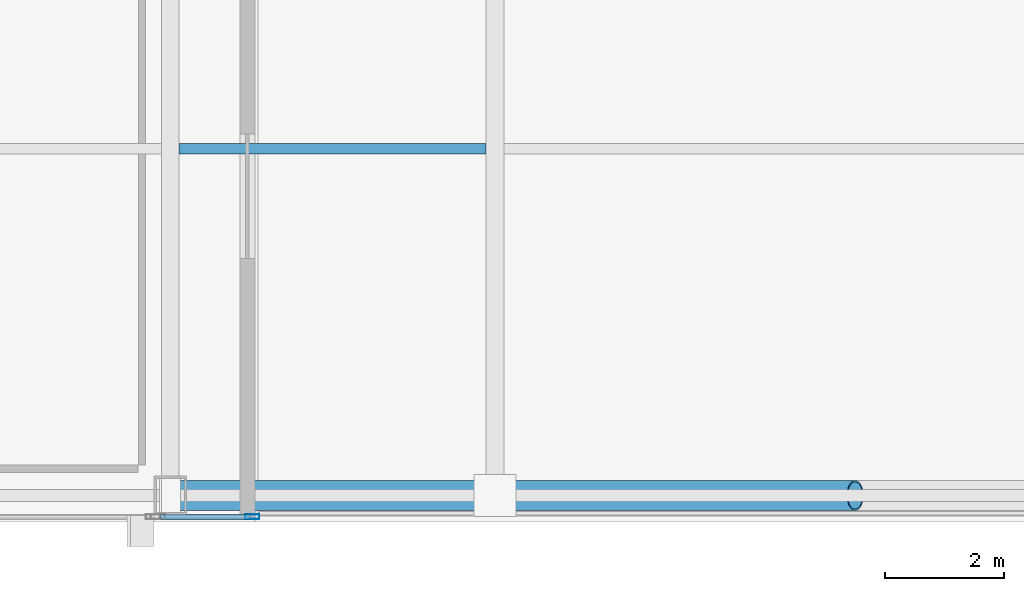
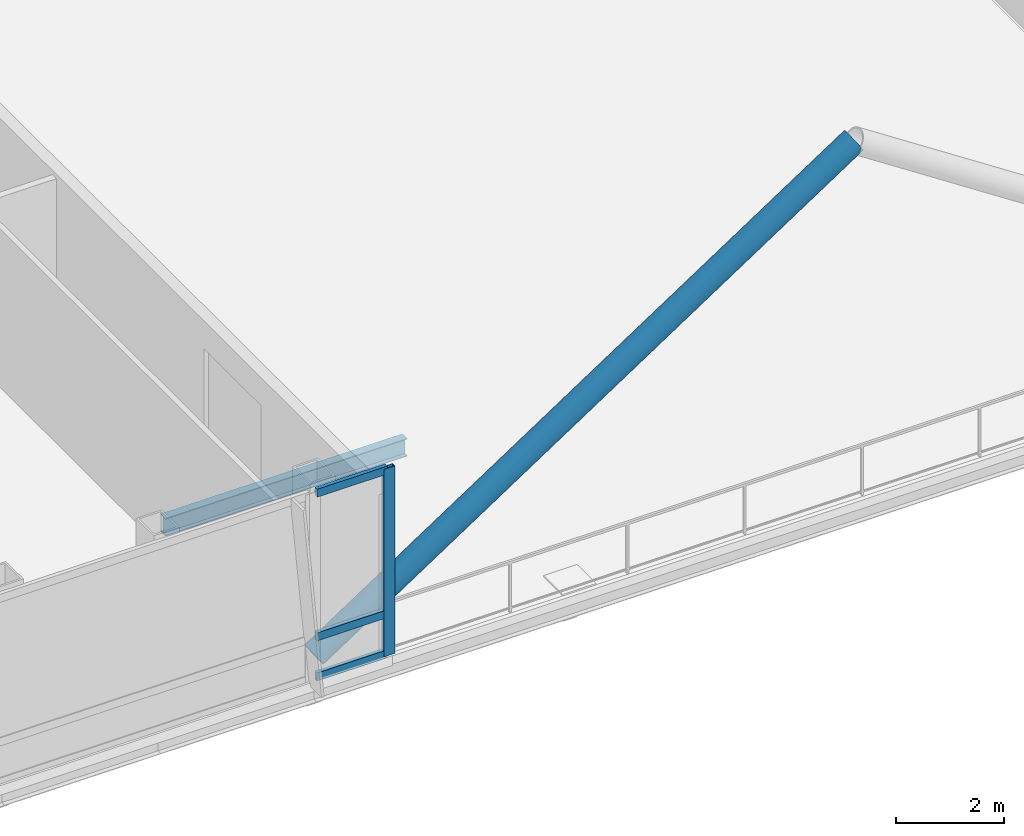
# One storey, part 7 of 27: 5 members, 1 beam, 1 element without a shape of its own.
"""IFC4 building model written with IfcOpenShell, lengths in metres."""

from ifc_helpers import new_model, si_unit, direction, frame, origin, origin_2d, place, context, subcontext, project, spatial, hollow_rectangle, hollow_circle, i_section, extrude, material, material_profile, profile_set, type_object, element, aggregate, save


model = new_model("IFC4")

# Units and contexts
model_context = context("Model", 3, precision=1e-05, world=origin(), true_north=direction((0.0, 1.0)))
body_context = subcontext(model_context, "Body", "Model", "MODEL_VIEW")
ifc_project = project(units=[si_unit("LENGTHUNIT", "METRE"), si_unit("AREAUNIT", "SQUARE_METRE"), si_unit("VOLUMEUNIT", "CUBIC_METRE"), si_unit("PLANEANGLEUNIT", "RADIAN"), si_unit("MASSUNIT", "GRAM", prefix="KILO")], contexts=[model_context])

# Site, building, storey
site_placement = place(None, origin())
site = spatial("IfcSite", under=ifc_project, at=site_placement, CompositionType="ELEMENT")
building_placement = place(site_placement, origin())
building = spatial("IfcBuilding", under=site, at=building_placement, Name="Khoronbel Lancet Exchange", CompositionType="ELEMENT")
storey_placement = place(building_placement, frame((0.0, 0.0, 305.800048828125)))
storey = spatial("IfcBuildingStorey", under=building, at=storey_placement, Name="L79", CompositionType="ELEMENT", Elevation=305.800048828125)

# Beam
ifc_material_1 = material(Name="Steel S355", Category="steel")
ifc_material_profile_1 = material_profile(ifc_material_1, i_section(OverallWidth=0.179931640625, OverallDepth=0.39990234375, WebThickness=0.008544921875, FlangeThickness=0.013427734375, at=origin_2d()), Name="IPE 400")
ifc_profile_set_1 = profile_set([ifc_material_profile_1], Name="Steel S355")
beam_type = type_object("IfcBeamType", Name="BM-BJ5", PredefinedType="JOIST", material=ifc_profile_set_1)
beam_placement = place(storey_placement, frame((25.050048828125, 16.0, -0.420166015625), z_axis=(1.0, 0.0, 0.0), x_axis=(0.0, 1.0, 0.0)))
element("IfcBeam", 1, at=beam_placement, inside=storey, type_object=beam_type, Name="Level L79 secondary composite joist J02", PredefinedType="JOIST", context=body_context, shape_type="SweptSolid", body=[
    extrude(i_section(OverallWidth=0.179931640625, OverallDepth=0.39990234375, WebThickness=0.008544921875, FlangeThickness=0.013427734375, at=origin_2d()), origin(), (0.0, 0.0, 1.0), 5.175048828125),
])

# Curtain wall, members
ifc_material_2 = material(Name="Low-E Solar Control Insulating Glass", Category="glass")
curtain_wall_type = type_object("IfcCurtainWallType", Name="CW-3", PredefinedType="NOTDEFINED", material=ifc_material_2)
curtain_wall_placement = place(storey_placement, origin())
curtain_wall = element("IfcCurtainWall", 2, at=curtain_wall_placement, inside=storey, type_object=curtain_wall_type, Name="Unitised curtain wall CW-L79-SW-PIER", PredefinedType="NOTDEFINED")
ifc_material_3 = material(Name="Bronze-Anodised Aluminium 6063-T6", Category="aluminium")
ifc_material_profile_2 = material_profile(ifc_material_3, hollow_rectangle(XDim=0.0849609375, YDim=0.239990234375, WallThickness=0.006103515625, at=origin_2d()), Name="ALU MULLION 85x240")
ifc_profile_set_2 = profile_set([ifc_material_profile_2], Name="Bronze-Anodised Aluminium 6063-T6")
member_type_1 = type_object("IfcMemberType", Name="MEM-CWM1", PredefinedType="MULLION", material=ifc_profile_set_2)
member_1_placement = place(storey_placement, frame((26.282470703125, 9.7900390625, 0.0), z_axis=(0.0, 0.0, 1.0), x_axis=(0.0, 1.0, 0.0)))
member_1 = element("IfcMember", 3, at=member_1_placement, type_object=member_type_1, Name="CW3 mullion 2", PredefinedType="MULLION", context=body_context, shape_type="SweptSolid", body=[
    extrude(hollow_rectangle(XDim=0.0849609375, YDim=0.239990234375, WallThickness=0.006103515625, at=origin_2d()), origin(), (0.0, 0.0, 1.0), 4.239990234375),
])
ifc_material_profile_3 = material_profile(ifc_material_3, hollow_rectangle(XDim=0.0849609375, YDim=0.179931640625, WallThickness=0.0048828125, at=origin_2d()), Name="ALU TRANSOM 85x180")
ifc_profile_set_3 = profile_set([ifc_material_profile_3], Name="Bronze-Anodised Aluminium 6063-T6")
member_type_2 = type_object("IfcMemberType", Name="MEM-CWT1", PredefinedType="USERDEFINED", material=ifc_profile_set_3)
member_2_placement = place(storey_placement, frame((24.735107421875, 9.7900390625, 0.04248046875), z_axis=(1.0, 0.0, 0.0), x_axis=(0.0, 1.0, 0.0)))
member_2 = element("IfcMember", 4, at=member_2_placement, type_object=member_type_2, Name="CW3 transom 1.1", ObjectType="TRANSOM", PredefinedType="USERDEFINED", context=body_context, shape_type="SweptSolid", body=[
    extrude(hollow_rectangle(XDim=0.0849609375, YDim=0.179931640625, WallThickness=0.0048828125, at=origin_2d()), origin(), (0.0, 0.0, 1.0), 1.5048828125),
])
member_3_placement = place(storey_placement, frame((24.735107421875, 9.7900390625, 0.949951171875), z_axis=(1.0, 0.0, 0.0), x_axis=(0.0, 1.0, 0.0)))
member_3 = element("IfcMember", 5, at=member_3_placement, type_object=member_type_2, Name="CW3 transom 1.2", ObjectType="TRANSOM", PredefinedType="USERDEFINED", context=body_context, shape_type="SweptSolid", body=[
    extrude(hollow_rectangle(XDim=0.0849609375, YDim=0.179931640625, WallThickness=0.0048828125, at=origin_2d()), origin(), (0.0, 0.0, 1.0), 1.5048828125),
])
member_4_placement = place(storey_placement, frame((24.735107421875, 9.7900390625, 4.197509765625), z_axis=(1.0, 0.0, 0.0), x_axis=(0.0, 1.0, 0.0)))
member_4 = element("IfcMember", 6, at=member_4_placement, type_object=member_type_2, Name="CW3 transom 1.3", ObjectType="TRANSOM", PredefinedType="USERDEFINED", context=body_context, shape_type="SweptSolid", body=[
    extrude(hollow_rectangle(XDim=0.0849609375, YDim=0.179931640625, WallThickness=0.0048828125, at=origin_2d()), origin(), (0.0, 0.0, 1.0), 1.5048828125),
])
aggregate(curtain_wall, [member_1, member_2, member_3, member_4])

# Member
ifc_material_profile_4 = material_profile(ifc_material_1, hollow_circle(Radius=0.25390625, WallThickness=0.02490234375, at=origin_2d()), Name="CHS 508x25")
ifc_profile_set_4 = profile_set([ifc_material_profile_4], Name="Steel S355")
member_type_3 = type_object("IfcMemberType", Name="MEM-STR1", PredefinedType="STRUT", material=ifc_profile_set_4)
member_5_placement = place(storey_placement, frame((24.89990234375, 10.14990234375, 0.25), z_axis=(0.83571173389, 0.0, 0.549168369299), x_axis=(0.0, 1.0, 0.0)))
element("IfcMember", 7, at=member_5_placement, inside=storey, type_object=member_type_3, Name="Pointed-lancet wind-portal strut S-W", PredefinedType="STRUT", context=body_context, shape_type="SweptSolid", body=[
    extrude(hollow_circle(Radius=0.25390625, WallThickness=0.02490234375, at=origin_2d()), origin(), (0.0, 0.0, 1.0), 13.820556640625),
])

save(model, "model.ifc")
